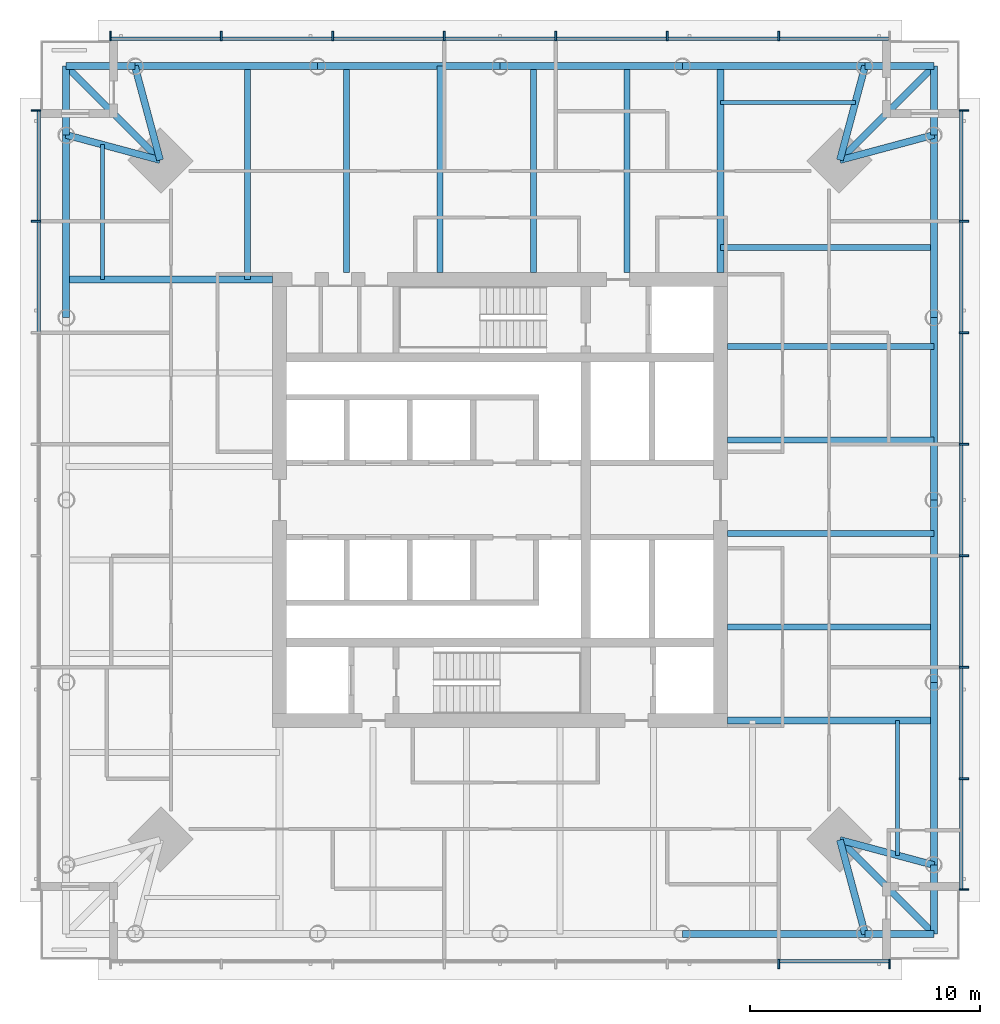
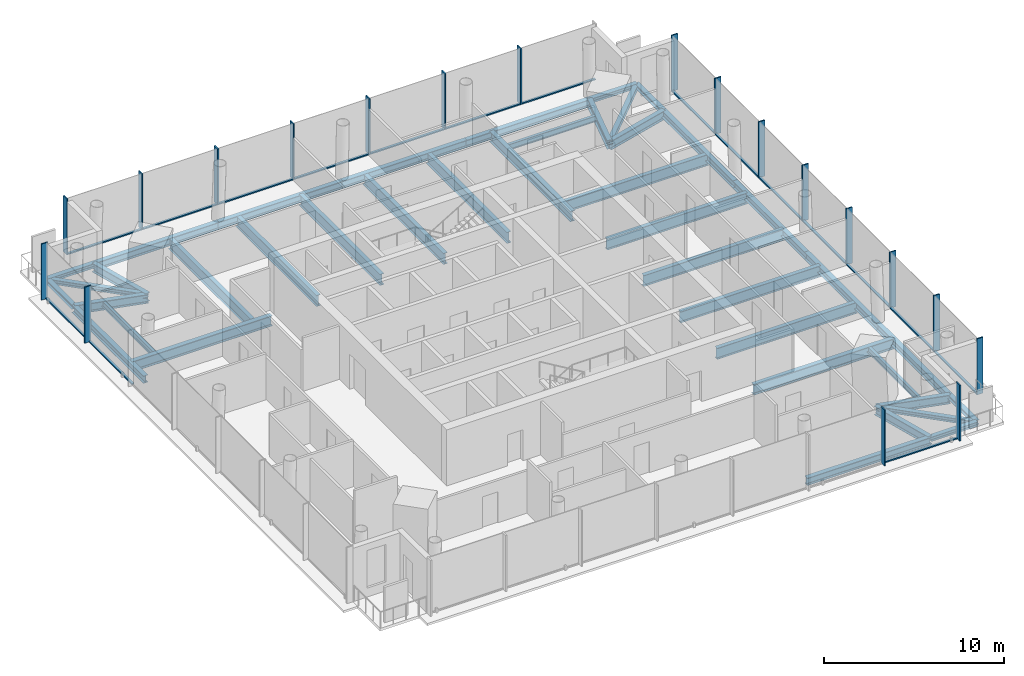
# One storey, part 2 of 10: 41 beams, 36 members, 4 elements without a shape of their own.
"""IFC4 building model written with IfcOpenShell, lengths in metres."""

import ifcopenshell
import ifcopenshell.guid

model = None  # the IFC model being written
_history = None  # IfcOwnerHistory: only IFC2X3 demands one
_inside = {}  # id of a spatial element -> (the spatial element, [elements in it])
_under = {}  # id of a project, library or spatial element -> (it, [spatial elements below it])
_declared = {}  # id of a project -> (the project, [libraries it declares])
_typed = {}  # id of a type object -> (the type object, [elements of that type])
_made_of = {}  # id of a material, layer set ... -> (it, [elements and type objects made of it])


def new_model(schema):
    """Start an empty IFC model of exactly this schema.

    Asked for "IFC4X3", IfcOpenShell would pick the latest addendum, in which some entities
    have other attributes; the version numbers below select the first issue.
    IFC2X3 requires an IfcOwnerHistory on every rooted entity: one is made here for all.
    """
    global model, _history
    if schema == "IFC4X3":
        model = ifcopenshell.file(schema_version=(4, 3, 0, 0))
    else:
        model = ifcopenshell.file(schema=schema)
    _inside.clear()
    _under.clear()
    _declared.clear()
    _typed.clear()
    _made_of.clear()
    _history = None
    if model.schema == "IFC2X3":
        org = make("IfcOrganization", Name="unknown")
        user = make(
            "IfcPersonAndOrganization",
            ThePerson=make("IfcPerson", FamilyName="unknown"),
            TheOrganization=org,
        )
        app = make(
            "IfcApplication",
            ApplicationDeveloper=org,
            Version="unknown",
            ApplicationFullName="unknown",
            ApplicationIdentifier="unknown",
        )
        _history = make(
            "IfcOwnerHistory",
            OwningUser=user,
            OwningApplication=app,
            ChangeAction="ADDED",
            CreationDate=0,
        )
    return model


def make(cls, **values):
    """One entity of the class cls with the attributes given. An attribute that is None is left unset."""
    return model.create_entity(
        cls, **{name: value for name, value in values.items() if value is not None}
    )


def rooted(cls, **values):
    """An entity with a GlobalId (a new one), such as an element, a storey or a relation."""
    return make(cls, GlobalId=ifcopenshell.guid.new(), OwnerHistory=_history, **values)


def si_unit(unit_type, name, prefix=None):
    """IfcSIUnit, for example si_unit("LENGTHUNIT", "METRE", prefix="MILLI")."""
    return make("IfcSIUnit", UnitType=unit_type, Prefix=prefix, Name=name)


def assignment(units):
    """IfcUnitAssignment: the units of a project."""
    return None if units is None else make("IfcUnitAssignment", Units=units)


def point(xyz):
    """IfcCartesianPoint."""
    return None if xyz is None else make("IfcCartesianPoint", Coordinates=xyz)


def direction(xyz):
    """IfcDirection."""
    return None if xyz is None else make("IfcDirection", DirectionRatios=xyz)


def frame(location, z_axis=None, x_axis=None):
    """IfcAxis2Placement3D, a coordinate frame: its origin and axes. An axis left out is left unset."""
    return make(
        "IfcAxis2Placement3D",
        Location=point(location),
        Axis=direction(z_axis),
        RefDirection=direction(x_axis),
    )


def frame_2d(location, x_axis=None):
    """IfcAxis2Placement2D, a coordinate frame in the plane: its origin and x axis."""
    return make(
        "IfcAxis2Placement2D", Location=point(location), RefDirection=direction(x_axis)
    )


def origin():
    """The frame at (0, 0, 0) with its axes left unset."""
    return frame((0.0, 0.0, 0.0))


def origin_2d():
    """The frame at (0, 0) in the plane with its x axis left unset."""
    return frame_2d((0.0, 0.0))


def place(relative_to, where):
    """IfcLocalPlacement: puts the frame where relative to a parent placement (None: the world)."""
    return make(
        "IfcLocalPlacement", PlacementRelTo=relative_to, RelativePlacement=where
    )


def context(
    kind, dimensions, precision=None, world=None, true_north=None, identifier=None
):
    """IfcGeometricRepresentationContext, for example the 3D "Model" context."""
    return make(
        "IfcGeometricRepresentationContext",
        ContextIdentifier=identifier,
        ContextType=kind,
        CoordinateSpaceDimension=dimensions,
        Precision=precision,
        WorldCoordinateSystem=world,
        TrueNorth=true_north,
    )


def subcontext(parent, identifier, kind, view, scale=None):
    """IfcGeometricRepresentationSubContext, for example "Body" below "Model"."""
    return make(
        "IfcGeometricRepresentationSubContext",
        ContextIdentifier=identifier,
        ContextType=kind,
        ParentContext=parent,
        TargetScale=scale,
        TargetView=view,
    )


def project(units=None, contexts=None):
    """IfcProject with its units and contexts."""
    return rooted(
        "IfcProject",
        Name="project",
        RepresentationContexts=contexts,
        UnitsInContext=assignment(units),
    )


def spatial(cls, under=None, at=None, **own):
    """A site, building, storey or space (cls), placed at a placement, below another one or the project."""
    s = rooted(cls, ObjectPlacement=at, **own)
    if under is not None:
        _under.setdefault(under.id(), (under, []))[1].append(s)
    return s


def profile(cls, at=None, kind="AREA", **sizes):
    """A parametric profile (cls). Its sizes go by their IFC names, for example OverallWidth=200.0."""
    return make(cls, ProfileType=kind, Position=at, **sizes)


def rectangle(**sizes):
    """IfcRectangleProfileDef."""
    return profile("IfcRectangleProfileDef", **sizes)


def i_section(**sizes):
    """IfcIShapeProfileDef."""
    return profile("IfcIShapeProfileDef", **sizes)


def extrude(swept, where, along, depth):
    """IfcExtrudedAreaSolid: the profile swept, set in the frame where, extruded along a direction by depth."""
    return make(
        "IfcExtrudedAreaSolid",
        SweptArea=swept,
        Position=where,
        ExtrudedDirection=direction(along),
        Depth=depth,
    )


def shape(context_of_items, identifier, shape_type, items):
    """IfcShapeRepresentation: the items that make up one representation, for example the "Body"."""
    return make(
        "IfcShapeRepresentation",
        ContextOfItems=context_of_items,
        RepresentationIdentifier=identifier,
        RepresentationType=shape_type,
        Items=items,
    )


def material(Name=None, Category=None):
    """IfcMaterial."""
    return make("IfcMaterial", Name=Name, Category=Category)


def material_profile(
    of_material, cross_section, Name=None, Category=None, Priority=None
):
    """IfcMaterialProfile: a cross section and its material."""
    return make(
        "IfcMaterialProfile",
        Name=Name,
        Material=of_material,
        Profile=cross_section,
        Priority=Priority,
        Category=Category,
    )


def profile_set(profiles, Name=None, composite=None):
    """IfcMaterialProfileSet."""
    return make(
        "IfcMaterialProfileSet",
        Name=Name,
        MaterialProfiles=profiles,
        CompositeProfile=composite,
    )


def made_of(thing, what):
    """Note that an element or type object is made of a material, layer set ...; save() writes the relation."""
    if what is not None:
        _made_of.setdefault(what.id(), (what, []))[1].append(thing)
    return thing


def type_object(cls, material=None, **own):
    """A type object (cls), such as IfcWallType, which elements share."""
    return made_of(rooted(cls, **own), material)


def element(
    cls,
    number,
    at=None,
    inside=None,
    cuts=None,
    type_object=None,
    material=None,
    context=None,
    identifier="Body",
    shape_type=None,
    held_by="IfcProductDefinitionShape",
    body=None,
    shapes=None,
    **own,
):
    """One element of the class cls, such as IfcWall. Its Tag is "e" and its number.

    at: its placement. inside: the storey or other place that contains it. cuts: it is an
    opening in that element (IfcRelVoidsElement). A single representation is given by context,
    identifier, shape_type and body (its items); several are given by shapes. held_by: the class
    of the entity that holds the representations. save() writes the other relations.
    """
    e = rooted(cls, Tag="e%d" % number, ObjectPlacement=at, **own)
    if body is not None:
        shapes = [shape(context, identifier, shape_type, body)]
    if shapes is not None:
        e.Representation = make(held_by, Representations=shapes)
    if inside is not None:
        _inside.setdefault(inside.id(), (inside, []))[1].append(e)
    if cuts is not None:
        rooted(
            "IfcRelVoidsElement", RelatingBuildingElement=cuts, RelatedOpeningElement=e
        )
    if type_object is not None:
        _typed.setdefault(type_object.id(), (type_object, []))[1].append(e)
    return made_of(e, material)


def aggregate(whole, parts):
    """IfcRelAggregates: a whole, such as a stair, and the parts it consists of."""
    return rooted("IfcRelAggregates", RelatingObject=whole, RelatedObjects=parts)


def save(model, path):
    """Write the relations noted so far, then the file.

    IfcRelAggregates (storeys below a building ...), IfcRelContainedInSpatialStructure (elements
    in a storey), IfcRelDefinesByType, IfcRelAssociatesMaterial and IfcRelDeclares: one each for
    every whole, place, type object, material and project.
    """
    for whole, parts in _under.values():
        aggregate(whole, parts)
    for where, things in _inside.values():
        rooted(
            "IfcRelContainedInSpatialStructure",
            RelatedElements=things,
            RelatingStructure=where,
        )
    for kind, things in _typed.values():
        rooted("IfcRelDefinesByType", RelatedObjects=things, RelatingType=kind)
    for what, things in _made_of.values():
        rooted("IfcRelAssociatesMaterial", RelatedObjects=things, RelatingMaterial=what)
    for by, libraries in _declared.values():
        rooted("IfcRelDeclares", RelatingContext=by, RelatedDefinitions=libraries)
    model.write(path)


model = new_model("IFC4")

# Units and contexts
model_context = context("Model", 3, precision=1e-05, world=origin(), true_north=direction((0.0, 1.0)))
body_context = subcontext(model_context, "Body", "Model", "MODEL_VIEW")
ifc_project = project(units=[si_unit("LENGTHUNIT", "METRE"), si_unit("AREAUNIT", "SQUARE_METRE"), si_unit("VOLUMEUNIT", "CUBIC_METRE"), si_unit("PLANEANGLEUNIT", "RADIAN"), si_unit("MASSUNIT", "GRAM", prefix="KILO")], contexts=[model_context])

# Site, building, storey
site_placement = place(None, origin())
site = spatial("IfcSite", under=ifc_project, at=site_placement, CompositionType="ELEMENT")
building_placement = place(site_placement, origin())
building = spatial("IfcBuilding", under=site, at=building_placement, Name="Ostroluk Exchange", CompositionType="ELEMENT")
storey_placement = place(building_placement, frame((0.0, 0.0, 180.60009765625)))
storey = spatial("IfcBuildingStorey", under=building, at=storey_placement, Name="L46", CompositionType="ELEMENT", Elevation=180.60009765625)

# Beams
ifc_material_1 = material(Name="Steel S355", Category="steel")
ifc_material_profile_1 = material_profile(ifc_material_1, i_section(OverallWidth=0.300048828125, OverallDepth=0.300048828125, WebThickness=0.010986328125, FlangeThickness=0.01904296875, FilletRadius=0.027099609375, at=origin_2d()), Name="HEB 300")
ifc_profile_set_1 = profile_set([ifc_material_profile_1], Name="Steel S355")
beam_type_1 = type_object("IfcBeamType", Name="Balcony beam HEB 300", PredefinedType="BEAM", material=ifc_profile_set_1)
for number, where, z_axis, x_axis, name in (
    (1, (63.89990234375, 61.89990234375, -0.330078125), (0.0, 1.0, 0.0), (-1.0, 0.0, 0.0), "T1 east balcony beam a"),
    (2, (60.89990234375, 64.89990234375, -0.330078125), (1.0, 0.0, 0.0), (0.0, 1.0, 0.0), "T1 east balcony beam b"),
):
    element("IfcBeam", number, at=place(storey_placement, frame(where, z_axis=z_axis, x_axis=x_axis)), inside=storey, type_object=beam_type_1, Name=name, PredefinedType="BEAM", context=body_context, shape_type="SweptSolid", body=[
        extrude(i_section(OverallWidth=0.300048828125, OverallDepth=0.300048828125, WebThickness=0.010986328125, FlangeThickness=0.01904296875, FilletRadius=0.027099609375, at=origin_2d()), origin(), (0.0, 0.0, 1.0), 3.0),
    ])
beam_1_placement = place(storey_placement, frame((59.800048828125, 60.800048828125, -0.330078125), z_axis=(0.707106781187, 0.707106781187, 0.0), x_axis=(-0.707106781187, 0.707106781187, 0.0)))
element("IfcBeam", 3, at=beam_1_placement, inside=storey, type_object=beam_type_1, Name="T1 east balcony beam c", PredefinedType="BEAM", context=body_context, shape_type="SweptSolid", body=[
    extrude(i_section(OverallWidth=0.300048828125, OverallDepth=0.300048828125, WebThickness=0.010986328125, FlangeThickness=0.01904296875, FilletRadius=0.027099609375, at=origin_2d()), origin(), (0.0, 0.0, 1.0), 5.798095703125),
])
for number, where, z_axis, x_axis, name in (
    (4, (29.10009765625, 64.89990234375, -0.330078125), (-1.0, 0.0, 0.0), (0.0, -1.0, 0.0), "T1 north balcony beam a"),
    (5, (26.10009765625, 61.89990234375, -0.330078125), (0.0, 1.0, 0.0), (-1.0, 0.0, 0.0), "T1 north balcony beam b"),
):
    element("IfcBeam", number, at=place(storey_placement, frame(where, z_axis=z_axis, x_axis=x_axis)), inside=storey, type_object=beam_type_1, Name=name, PredefinedType="BEAM", context=body_context, shape_type="SweptSolid", body=[
        extrude(i_section(OverallWidth=0.300048828125, OverallDepth=0.300048828125, WebThickness=0.010986328125, FlangeThickness=0.01904296875, FilletRadius=0.027099609375, at=origin_2d()), origin(), (0.0, 0.0, 1.0), 3.0),
    ])
beam_2_placement = place(storey_placement, frame((30.199951171875, 60.800048828125, -0.330078125), z_axis=(-0.707106781187, 0.707106781187, 0.0), x_axis=(-0.707106781187, -0.707106781187, 0.0)))
element("IfcBeam", 6, at=beam_2_placement, inside=storey, type_object=beam_type_1, Name="T1 north balcony beam c", PredefinedType="BEAM", context=body_context, shape_type="SweptSolid", body=[
    extrude(i_section(OverallWidth=0.300048828125, OverallDepth=0.300048828125, WebThickness=0.010986328125, FlangeThickness=0.01904296875, FilletRadius=0.027099609375, at=origin_2d()), origin(), (0.0, 0.0, 1.0), 5.798095703125),
])
for number, where, z_axis, x_axis, name in (
    (7, (60.89990234375, 27.10009765625, -0.330078125), (1.0, 0.0, 0.0), (0.0, 1.0, 0.0), "T1 south balcony beam a"),
    (8, (63.89990234375, 30.10009765625, -0.330078125), (0.0, -1.0, 0.0), (1.0, 0.0, 0.0), "T1 south balcony beam b"),
):
    element("IfcBeam", number, at=place(storey_placement, frame(where, z_axis=z_axis, x_axis=x_axis)), inside=storey, type_object=beam_type_1, Name=name, PredefinedType="BEAM", context=body_context, shape_type="SweptSolid", body=[
        extrude(i_section(OverallWidth=0.300048828125, OverallDepth=0.300048828125, WebThickness=0.010986328125, FlangeThickness=0.01904296875, FilletRadius=0.027099609375, at=origin_2d()), origin(), (0.0, 0.0, 1.0), 3.0),
    ])
beam_3_placement = place(storey_placement, frame((59.800048828125, 31.199951171875, -0.330078125), z_axis=(0.707106781187, -0.707106781187, 0.0), x_axis=(0.707106781187, 0.707106781187, 0.0)))
element("IfcBeam", 9, at=beam_3_placement, inside=storey, type_object=beam_type_1, Name="T1 south balcony beam c", PredefinedType="BEAM", context=body_context, shape_type="SweptSolid", body=[
    extrude(i_section(OverallWidth=0.300048828125, OverallDepth=0.300048828125, WebThickness=0.010986328125, FlangeThickness=0.01904296875, FilletRadius=0.027099609375, at=origin_2d()), origin(), (0.0, 0.0, 1.0), 5.798095703125),
])
ifc_material_2 = material(Name="Steel S355", Category="steel")
ifc_material_profile_2 = material_profile(ifc_material_2, i_section(OverallWidth=0.300048828125, OverallDepth=0.60009765625, WebThickness=0.015380859375, FlangeThickness=0.030029296875, FilletRadius=0.027099609375, at=origin_2d()), Name="HEB 600")
ifc_profile_set_2 = profile_set([ifc_material_profile_2], Name="Steel S355")
beam_type_2 = type_object("IfcBeamType", Name="Corner edge beam HEB 600", PredefinedType="SPANDREL", material=ifc_profile_set_2)
for number, where, z_axis, x_axis, name in (
    (10, (59.800048828125, 60.800048828125, -0.47998046875), (0.965849156574, 0.259105011038, 0.0), (-0.259105011038, 0.965849156574, 0.0), "T1 east corner edge beam a"),
    (11, (59.800048828125, 60.800048828125, -0.47998046875), (0.259105011038, 0.965849156574, 0.0), (-0.965849156574, 0.259105011038, 0.0), "T1 east corner edge beam b"),
    (12, (30.199951171875, 60.800048828125, -0.47998046875), (-0.259105011038, 0.965849156574, 0.0), (-0.965849156574, -0.259105011038, 0.0), "T1 north corner edge beam a"),
    (13, (30.199951171875, 60.800048828125, -0.47998046875), (-0.965849156574, 0.259105011038, 0.0), (-0.259105011038, -0.965849156574, 0.0), "T1 north corner edge beam b"),
    (14, (59.800048828125, 31.199951171875, -0.47998046875), (0.259105011038, -0.965849156574, 0.0), (0.965849156574, 0.259105011038, 0.0), "T1 south corner edge beam a"),
    (15, (59.800048828125, 31.199951171875, -0.47998046875), (0.965849156574, -0.259105011038, 0.0), (0.259105011038, 0.965849156574, 0.0), "T1 south corner edge beam b"),
):
    element("IfcBeam", number, at=place(storey_placement, frame(where, z_axis=z_axis, x_axis=x_axis)), inside=storey, type_object=beam_type_2, Name=name, PredefinedType="SPANDREL", context=body_context, shape_type="SweptSolid", body=[
        extrude(i_section(OverallWidth=0.300048828125, OverallDepth=0.60009765625, WebThickness=0.015380859375, FlangeThickness=0.030029296875, FilletRadius=0.027099609375, at=origin_2d()), origin(), (0.0, 0.0, 1.0), 4.244873046875),
    ])
ifc_material_3 = material(Name="Steel S355", Category="steel")
ifc_material_profile_3 = material_profile(ifc_material_3, i_section(OverallWidth=0.179931640625, OverallDepth=0.39990234375, WebThickness=0.008544921875, FlangeThickness=0.013427734375, FilletRadius=0.02099609375, at=origin_2d()), Name="IPE 400")
ifc_profile_set_3 = profile_set([ifc_material_profile_3], Name="Steel S355")
beam_type_3 = type_object("IfcBeamType", Name="Floor beam IPE 400", PredefinedType="BEAM", material=ifc_profile_set_3)
for number, where, z_axis, x_axis, name in (
    (16, (54.60009765625, 63.300048828125, -0.380126953125), (1.0, 0.0, 0.0), (0.0, 1.0, 0.0), "T1 east floor beam 6"),
    (17, (27.699951171875, 55.60009765625, -0.380126953125), (0.0, 1.0, 0.0), (-1.0, 0.0, 0.0), "T1 north floor beam 6"),
    (18, (62.300048828125, 36.39990234375, -0.380126953125), (0.0, -1.0, 0.0), (1.0, 0.0, 0.0), "T1 south floor beam 6"),
):
    element("IfcBeam", number, at=place(storey_placement, frame(where, z_axis=z_axis, x_axis=x_axis)), inside=storey, type_object=beam_type_3, Name=name, PredefinedType="BEAM", context=body_context, shape_type="SweptSolid", body=[
        extrude(i_section(OverallWidth=0.179931640625, OverallDepth=0.39990234375, WebThickness=0.008544921875, FlangeThickness=0.013427734375, FilletRadius=0.02099609375, at=origin_2d()), origin(), (0.0, 0.0, 1.0), 5.87060546875),
    ])
ifc_material_4 = material(Name="Steel S355", Category="steel")
ifc_material_profile_4 = material_profile(ifc_material_4, i_section(OverallWidth=0.264892578125, OverallDepth=0.7529296875, WebThickness=0.01318359375, FlangeThickness=0.01708984375, FilletRadius=0.01708984375, at=origin_2d()), Name="IPE 750x147")
ifc_profile_set_4 = profile_set([ifc_material_profile_4], Name="Steel S355")
beam_type_4 = type_object("IfcBeamType", Name="Floor beam IPE 750x147", PredefinedType="BEAM", material=ifc_profile_set_4)
for number, where, z_axis, x_axis, name in (
    (19, (54.89990234375, 40.471435546875, -0.556640625), (1.0, 0.0, 0.0), (0.0, 1.0, 0.0), "T1 east floor beam 1"),
    (20, (54.89990234375, 44.54296875, -0.556640625), (1.0, 0.0, 0.0), (0.0, 1.0, 0.0), "T1 east floor beam 2"),
    (21, (54.89990234375, 48.6142578125, -0.556640625), (1.0, 0.0, 0.0), (0.0, 1.0, 0.0), "T1 east floor beam 3"),
    (22, (54.89990234375, 52.685791015625, -0.556640625), (1.0, 0.0, 0.0), (0.0, 1.0, 0.0), "T1 east floor beam 4"),
):
    element("IfcBeam", number, at=place(storey_placement, frame(where, z_axis=z_axis, x_axis=x_axis)), inside=storey, type_object=beam_type_4, Name=name, PredefinedType="BEAM", context=body_context, shape_type="SweptSolid", body=[
        extrude(i_section(OverallWidth=0.264892578125, OverallDepth=0.7529296875, WebThickness=0.01318359375, FlangeThickness=0.01708984375, FilletRadius=0.01708984375, at=origin_2d()), origin(), (0.0, 0.0, 1.0), 9.0),
    ])
beam_4_placement = place(storey_placement, frame((54.60009765625, 57.0, -0.556640625), z_axis=(1.0, 0.0, 0.0), x_axis=(0.0, 1.0, 0.0)))
element("IfcBeam", 23, at=beam_4_placement, inside=storey, type_object=beam_type_4, Name="T1 east floor beam 5", PredefinedType="BEAM", context=body_context, shape_type="SweptSolid", body=[
    extrude(i_section(OverallWidth=0.264892578125, OverallDepth=0.7529296875, WebThickness=0.01318359375, FlangeThickness=0.01708984375, FilletRadius=0.01708984375, at=origin_2d()), origin(), (0.0, 0.0, 1.0), 9.2998046875),
])
for number, where, z_axis, x_axis, name in (
    (24, (50.528564453125, 55.89990234375, -0.556640625), (0.0, 1.0, 0.0), (-1.0, 0.0, 0.0), "T1 north floor beam 1"),
    (25, (46.45703125, 55.89990234375, -0.556640625), (0.0, 1.0, 0.0), (-1.0, 0.0, 0.0), "T1 north floor beam 2"),
    (26, (42.3857421875, 55.89990234375, -0.556640625), (0.0, 1.0, 0.0), (-1.0, 0.0, 0.0), "T1 north floor beam 3"),
    (27, (38.314208984375, 55.89990234375, -0.556640625), (0.0, 1.0, 0.0), (-1.0, 0.0, 0.0), "T1 north floor beam 4"),
):
    element("IfcBeam", number, at=place(storey_placement, frame(where, z_axis=z_axis, x_axis=x_axis)), inside=storey, type_object=beam_type_4, Name=name, PredefinedType="BEAM", context=body_context, shape_type="SweptSolid", body=[
        extrude(i_section(OverallWidth=0.264892578125, OverallDepth=0.7529296875, WebThickness=0.01318359375, FlangeThickness=0.01708984375, FilletRadius=0.01708984375, at=origin_2d()), origin(), (0.0, 0.0, 1.0), 9.0),
    ])
beam_5_placement = place(storey_placement, frame((34.0, 55.60009765625, -0.556640625), z_axis=(0.0, 1.0, 0.0), x_axis=(-1.0, 0.0, 0.0)))
element("IfcBeam", 28, at=beam_5_placement, inside=storey, type_object=beam_type_4, Name="T1 north floor beam 5", PredefinedType="BEAM", context=body_context, shape_type="SweptSolid", body=[
    extrude(i_section(OverallWidth=0.264892578125, OverallDepth=0.7529296875, WebThickness=0.01318359375, FlangeThickness=0.01708984375, FilletRadius=0.01708984375, at=origin_2d()), origin(), (0.0, 0.0, 1.0), 9.2998046875),
])
ifc_material_5 = material(Name="Steel S355", Category="steel")
ifc_material_profile_5 = material_profile(ifc_material_5, i_section(OverallWidth=0.300048828125, OverallDepth=0.699951171875, WebThickness=0.01708984375, FlangeThickness=0.031982421875, FilletRadius=0.027099609375, at=origin_2d()), Name="HEB 700")
ifc_profile_set_5 = profile_set([ifc_material_profile_5], Name="Steel S355")
beam_type_5 = type_object("IfcBeamType", Name="Girder HEB 700", PredefinedType="BEAM", material=ifc_profile_set_5)
for number, where, z_axis, x_axis, name in (
    (29, (54.60009765625, 55.89990234375, -0.530029296875), (0.0, 1.0, 0.0), (-1.0, 0.0, 0.0), "T1 east girder"),
    (30, (35.10009765625, 55.60009765625, -0.530029296875), (-1.0, 0.0, 0.0), (0.0, -1.0, 0.0), "T1 north girder"),
    (31, (54.89990234375, 36.39990234375, -0.530029296875), (1.0, 0.0, 0.0), (0.0, 1.0, 0.0), "T1 south girder"),
):
    element("IfcBeam", number, at=place(storey_placement, frame(where, z_axis=z_axis, x_axis=x_axis)), inside=storey, type_object=beam_type_5, Name=name, PredefinedType="BEAM", context=body_context, shape_type="SweptSolid", body=[
        extrude(i_section(OverallWidth=0.300048828125, OverallDepth=0.699951171875, WebThickness=0.01708984375, FlangeThickness=0.031982421875, FilletRadius=0.027099609375, at=origin_2d()), origin(), (0.0, 0.0, 1.0), 9.0),
    ])
ifc_material_6 = material(Name="Steel S355", Category="steel")
ifc_material_profile_6 = material_profile(ifc_material_6, i_section(OverallWidth=0.300048828125, OverallDepth=0.5, WebThickness=0.014404296875, FlangeThickness=0.028076171875, FilletRadius=0.027099609375, at=origin_2d()), Name="HEB 500")
ifc_profile_set_6 = profile_set([ifc_material_profile_6], Name="Steel S355")
beam_type_6 = type_object("IfcBeamType", Name="Moment-connected edge beam HEB 500", PredefinedType="SPANDREL", material=ifc_profile_set_6)
for number, where, z_axis, x_axis, name in (
    (32, (63.89990234375, 30.10009765625, -0.43017578125), (0.0, 1.0, 0.0), (-1.0, 0.0, 0.0), "T1 east edge beam 1"),
    (33, (63.89990234375, 38.050048828125, -0.43017578125), (0.0, 1.0, 0.0), (-1.0, 0.0, 0.0), "T1 east edge beam 2"),
    (34, (63.89990234375, 46.0, -0.43017578125), (0.0, 1.0, 0.0), (-1.0, 0.0, 0.0), "T1 east edge beam 3"),
    (35, (63.89990234375, 53.949951171875, -0.43017578125), (0.0, 1.0, 0.0), (-1.0, 0.0, 0.0), "T1 east edge beam 4"),
    (36, (60.89990234375, 64.89990234375, -0.43017578125), (-1.0, 0.0, 0.0), (0.0, -1.0, 0.0), "T1 north edge beam 1"),
    (37, (52.949951171875, 64.89990234375, -0.43017578125), (-1.0, 0.0, 0.0), (0.0, -1.0, 0.0), "T1 north edge beam 2"),
    (38, (45.0, 64.89990234375, -0.43017578125), (-1.0, 0.0, 0.0), (0.0, -1.0, 0.0), "T1 north edge beam 3"),
    (39, (37.050048828125, 64.89990234375, -0.43017578125), (-1.0, 0.0, 0.0), (0.0, -1.0, 0.0), "T1 north edge beam 4"),
    (40, (26.10009765625, 61.89990234375, -0.43017578125), (0.0, -1.0, 0.0), (1.0, 0.0, 0.0), "T1 west edge beam 1"),
    (41, (52.949951171875, 27.10009765625, -0.43017578125), (1.0, 0.0, 0.0), (0.0, 1.0, 0.0), "T1 south edge beam 4"),
):
    element("IfcBeam", number, at=place(storey_placement, frame(where, z_axis=z_axis, x_axis=x_axis)), inside=storey, type_object=beam_type_6, Name=name, PredefinedType="SPANDREL", context=body_context, shape_type="SweptSolid", body=[
        extrude(i_section(OverallWidth=0.300048828125, OverallDepth=0.5, WebThickness=0.014404296875, FlangeThickness=0.028076171875, FilletRadius=0.027099609375, at=origin_2d()), origin(), (0.0, 0.0, 1.0), 7.949951171875),
    ])

# Curtain wall, member
ifc_material_7 = material(Name="Laminated clear glass", Category="glass")
curtain_wall_type = type_object("IfcCurtainWallType", Name="Office tower facade", PredefinedType="USERDEFINED", material=ifc_material_7)
curtain_wall_1_placement = place(storey_placement, origin())
curtain_wall_1 = element("IfcCurtainWall", 42, at=curtain_wall_1_placement, inside=storey, type_object=curtain_wall_type, Name="Office tower south facade L46", ObjectType="UNITISED CURTAIN WALL", PredefinedType="USERDEFINED")
ifc_material_8 = material(Name="Aluminium mullion", Category="aluminium")
ifc_material_profile_7 = material_profile(ifc_material_8, rectangle(XDim=0.14990234375, YDim=0.080078125, at=origin_2d()), Name="Sill transom 80 x 150")
ifc_profile_set_7 = profile_set([ifc_material_profile_7], Name="Aluminium mullion")
member_type_1 = type_object("IfcMemberType", Name="Sill transom 80 x 150", PredefinedType="USERDEFINED", material=ifc_profile_set_7)
member_1_placement = place(storey_placement, frame((57.182861328125, 25.925048828125, 0.039794921875), z_axis=(1.0, 0.0, 0.0), x_axis=(0.0, 1.0, 0.0)))
member_1 = element("IfcMember", 43, at=member_1_placement, type_object=member_type_1, Name="CW-O1 transom 7.1", ObjectType="TRANSOM", PredefinedType="USERDEFINED", context=body_context, shape_type="SweptSolid", body=[
    extrude(rectangle(XDim=0.14990234375, YDim=0.080078125, at=origin_2d()), origin(), (0.0, 0.0, 1.0), 4.737060546875),
])

# Curtain wall, members
curtain_wall_2_placement = place(storey_placement, origin())
curtain_wall_2 = element("IfcCurtainWall", 44, at=curtain_wall_2_placement, inside=storey, type_object=curtain_wall_type, Name="Office tower east facade L46", ObjectType="UNITISED CURTAIN WALL", PredefinedType="USERDEFINED")
member_2_placement = place(storey_placement, frame((65.074951171875, 29.080078125, 0.039794921875), z_axis=(0.0, 1.0, 0.0), x_axis=(-1.0, 0.0, 0.0)))
member_2 = element("IfcMember", 45, at=member_2_placement, type_object=member_type_1, Name="CW-O1 transom 1.1", ObjectType="TRANSOM", PredefinedType="USERDEFINED", context=body_context, shape_type="SweptSolid", body=[
    extrude(rectangle(XDim=0.14990234375, YDim=0.080078125, at=origin_2d()), origin(), (0.0, 0.0, 1.0), 4.737060546875),
])
member_3_placement = place(storey_placement, frame((65.074951171875, 33.897216796875, 0.039794921875), z_axis=(0.0, 1.0, 0.0), x_axis=(-1.0, 0.0, 0.0)))
member_3 = element("IfcMember", 46, at=member_3_placement, type_object=member_type_1, Name="CW-O1 transom 2.1", ObjectType="TRANSOM", PredefinedType="USERDEFINED", context=body_context, shape_type="SweptSolid", body=[
    extrude(rectangle(XDim=0.14990234375, YDim=0.080078125, at=origin_2d()), origin(), (0.0, 0.0, 1.0), 4.777099609375),
])
member_4_placement = place(storey_placement, frame((65.074951171875, 38.75439453125, 0.039794921875), z_axis=(0.0, 1.0, 0.0), x_axis=(-1.0, 0.0, 0.0)))
member_4 = element("IfcMember", 47, at=member_4_placement, type_object=member_type_1, Name="CW-O1 transom 3.1", ObjectType="TRANSOM", PredefinedType="USERDEFINED", context=body_context, shape_type="SweptSolid", body=[
    extrude(rectangle(XDim=0.14990234375, YDim=0.080078125, at=origin_2d()), origin(), (0.0, 0.0, 1.0), 4.777099609375),
])
member_5_placement = place(storey_placement, frame((65.074951171875, 43.611328125, 0.039794921875), z_axis=(0.0, 1.0, 0.0), x_axis=(-1.0, 0.0, 0.0)))
member_5 = element("IfcMember", 48, at=member_5_placement, type_object=member_type_1, Name="CW-O1 transom 4.1", ObjectType="TRANSOM", PredefinedType="USERDEFINED", context=body_context, shape_type="SweptSolid", body=[
    extrude(rectangle(XDim=0.14990234375, YDim=0.080078125, at=origin_2d()), origin(), (0.0, 0.0, 1.0), 4.77734375),
])
member_6_placement = place(storey_placement, frame((65.074951171875, 48.468505859375, 0.039794921875), z_axis=(0.0, 1.0, 0.0), x_axis=(-1.0, 0.0, 0.0)))
member_6 = element("IfcMember", 49, at=member_6_placement, type_object=member_type_1, Name="CW-O1 transom 5.1", ObjectType="TRANSOM", PredefinedType="USERDEFINED", context=body_context, shape_type="SweptSolid", body=[
    extrude(rectangle(XDim=0.14990234375, YDim=0.080078125, at=origin_2d()), origin(), (0.0, 0.0, 1.0), 4.777099609375),
])
member_7_placement = place(storey_placement, frame((65.074951171875, 53.32568359375, 0.039794921875), z_axis=(0.0, 1.0, 0.0), x_axis=(-1.0, 0.0, 0.0)))
member_7 = element("IfcMember", 50, at=member_7_placement, type_object=member_type_1, Name="CW-O1 transom 6.1", ObjectType="TRANSOM", PredefinedType="USERDEFINED", context=body_context, shape_type="SweptSolid", body=[
    extrude(rectangle(XDim=0.14990234375, YDim=0.080078125, at=origin_2d()), origin(), (0.0, 0.0, 1.0), 4.777099609375),
])
member_8_placement = place(storey_placement, frame((65.074951171875, 58.182861328125, 0.039794921875), z_axis=(0.0, 1.0, 0.0), x_axis=(-1.0, 0.0, 0.0)))
member_8 = element("IfcMember", 51, at=member_8_placement, type_object=member_type_1, Name="CW-O1 transom 7.1", ObjectType="TRANSOM", PredefinedType="USERDEFINED", context=body_context, shape_type="SweptSolid", body=[
    extrude(rectangle(XDim=0.14990234375, YDim=0.080078125, at=origin_2d()), origin(), (0.0, 0.0, 1.0), 4.737060546875),
])

curtain_wall_3_placement = place(storey_placement, origin())
curtain_wall_3 = element("IfcCurtainWall", 52, at=curtain_wall_3_placement, inside=storey, type_object=curtain_wall_type, Name="Office tower north facade L46", ObjectType="UNITISED CURTAIN WALL", PredefinedType="USERDEFINED")
member_9_placement = place(storey_placement, frame((61.919921875, 66.074951171875, 0.039794921875), z_axis=(-1.0, 0.0, 0.0), x_axis=(0.0, -1.0, 0.0)))
member_9 = element("IfcMember", 53, at=member_9_placement, type_object=member_type_1, Name="CW-O1 transom 1.1", ObjectType="TRANSOM", PredefinedType="USERDEFINED", context=body_context, shape_type="SweptSolid", body=[
    extrude(rectangle(XDim=0.14990234375, YDim=0.080078125, at=origin_2d()), origin(), (0.0, 0.0, 1.0), 4.737060546875),
])
member_10_placement = place(storey_placement, frame((57.102783203125, 66.074951171875, 0.039794921875), z_axis=(-1.0, 0.0, 0.0), x_axis=(0.0, -1.0, 0.0)))
member_10 = element("IfcMember", 54, at=member_10_placement, type_object=member_type_1, Name="CW-O1 transom 2.1", ObjectType="TRANSOM", PredefinedType="USERDEFINED", context=body_context, shape_type="SweptSolid", body=[
    extrude(rectangle(XDim=0.14990234375, YDim=0.080078125, at=origin_2d()), origin(), (0.0, 0.0, 1.0), 4.777099609375),
])
member_11_placement = place(storey_placement, frame((52.24560546875, 66.074951171875, 0.039794921875), z_axis=(-1.0, 0.0, 0.0), x_axis=(0.0, -1.0, 0.0)))
member_11 = element("IfcMember", 55, at=member_11_placement, type_object=member_type_1, Name="CW-O1 transom 3.1", ObjectType="TRANSOM", PredefinedType="USERDEFINED", context=body_context, shape_type="SweptSolid", body=[
    extrude(rectangle(XDim=0.14990234375, YDim=0.080078125, at=origin_2d()), origin(), (0.0, 0.0, 1.0), 4.777099609375),
])
member_12_placement = place(storey_placement, frame((47.388671875, 66.074951171875, 0.039794921875), z_axis=(-1.0, 0.0, 0.0), x_axis=(0.0, -1.0, 0.0)))
member_12 = element("IfcMember", 56, at=member_12_placement, type_object=member_type_1, Name="CW-O1 transom 4.1", ObjectType="TRANSOM", PredefinedType="USERDEFINED", context=body_context, shape_type="SweptSolid", body=[
    extrude(rectangle(XDim=0.14990234375, YDim=0.080078125, at=origin_2d()), origin(), (0.0, 0.0, 1.0), 4.77734375),
])
member_13_placement = place(storey_placement, frame((42.531494140625, 66.074951171875, 0.039794921875), z_axis=(-1.0, 0.0, 0.0), x_axis=(0.0, -1.0, 0.0)))
member_13 = element("IfcMember", 57, at=member_13_placement, type_object=member_type_1, Name="CW-O1 transom 5.1", ObjectType="TRANSOM", PredefinedType="USERDEFINED", context=body_context, shape_type="SweptSolid", body=[
    extrude(rectangle(XDim=0.14990234375, YDim=0.080078125, at=origin_2d()), origin(), (0.0, 0.0, 1.0), 4.777099609375),
])
member_14_placement = place(storey_placement, frame((37.67431640625, 66.074951171875, 0.039794921875), z_axis=(-1.0, 0.0, 0.0), x_axis=(0.0, -1.0, 0.0)))
member_14 = element("IfcMember", 58, at=member_14_placement, type_object=member_type_1, Name="CW-O1 transom 6.1", ObjectType="TRANSOM", PredefinedType="USERDEFINED", context=body_context, shape_type="SweptSolid", body=[
    extrude(rectangle(XDim=0.14990234375, YDim=0.080078125, at=origin_2d()), origin(), (0.0, 0.0, 1.0), 4.777099609375),
])
member_15_placement = place(storey_placement, frame((32.817138671875, 66.074951171875, 0.039794921875), z_axis=(-1.0, 0.0, 0.0), x_axis=(0.0, -1.0, 0.0)))
member_15 = element("IfcMember", 59, at=member_15_placement, type_object=member_type_1, Name="CW-O1 transom 7.1", ObjectType="TRANSOM", PredefinedType="USERDEFINED", context=body_context, shape_type="SweptSolid", body=[
    extrude(rectangle(XDim=0.14990234375, YDim=0.080078125, at=origin_2d()), origin(), (0.0, 0.0, 1.0), 4.737060546875),
])

curtain_wall_4_placement = place(storey_placement, origin())
curtain_wall_4 = element("IfcCurtainWall", 60, at=curtain_wall_4_placement, inside=storey, type_object=curtain_wall_type, Name="Office tower west facade L46", ObjectType="UNITISED CURTAIN WALL", PredefinedType="USERDEFINED")
member_16_placement = place(storey_placement, frame((24.925048828125, 62.919921875, 0.039794921875), z_axis=(0.0, -1.0, 0.0), x_axis=(1.0, 0.0, 0.0)))
member_16 = element("IfcMember", 61, at=member_16_placement, type_object=member_type_1, Name="CW-O1 transom 1.1", ObjectType="TRANSOM", PredefinedType="USERDEFINED", context=body_context, shape_type="SweptSolid", body=[
    extrude(rectangle(XDim=0.14990234375, YDim=0.080078125, at=origin_2d()), origin(), (0.0, 0.0, 1.0), 4.737060546875),
])
member_17_placement = place(storey_placement, frame((24.925048828125, 58.102783203125, 0.039794921875), z_axis=(0.0, -1.0, 0.0), x_axis=(1.0, 0.0, 0.0)))
member_17 = element("IfcMember", 62, at=member_17_placement, type_object=member_type_1, Name="CW-O1 transom 2.1", ObjectType="TRANSOM", PredefinedType="USERDEFINED", context=body_context, shape_type="SweptSolid", body=[
    extrude(rectangle(XDim=0.14990234375, YDim=0.080078125, at=origin_2d()), origin(), (0.0, 0.0, 1.0), 4.777099609375),
])

# Member
ifc_material_9 = material(Name="Aluminium mullion with limestone facing", Category="masonry")
ifc_material_profile_8 = material_profile(ifc_material_9, rectangle(XDim=0.39990234375, YDim=0.080078125, at=origin_2d()), Name="Tracery mullion 80 x 400")
ifc_profile_set_8 = profile_set([ifc_material_profile_8], Name="Aluminium mullion with limestone facing")
member_type_2 = type_object("IfcMemberType", Name="Tracery mullion 80 x 400", PredefinedType="MULLION", material=ifc_profile_set_8)
member_18_placement = place(storey_placement, frame((57.142822265625, 25.800048828125, 0.0), z_axis=(0.0, 0.0, 1.0), x_axis=(0.0, 1.0, 0.0)))
member_18 = element("IfcMember", 63, at=member_18_placement, type_object=member_type_2, Name="CW-O1 mullion 7", PredefinedType="MULLION", context=body_context, shape_type="SweptSolid", body=[
    extrude(rectangle(XDim=0.39990234375, YDim=0.080078125, at=origin_2d()), origin(), (0.0, 0.0, 1.0), 3.7998046875),
])

member_19_placement = place(storey_placement, frame((61.9599609375, 25.800048828125, 0.0), z_axis=(0.0, 0.0, 1.0), x_axis=(0.0, 1.0, 0.0)))
member_19 = element("IfcMember", 64, at=member_19_placement, type_object=member_type_2, Name="CW-O1 mullion 8", PredefinedType="MULLION", context=body_context, shape_type="SweptSolid", body=[
    extrude(rectangle(XDim=0.39990234375, YDim=0.080078125, at=origin_2d()), origin(), (0.0, 0.0, 1.0), 3.7998046875),
])

aggregate(curtain_wall_1, [member_18, member_19, member_1])

member_20_placement = place(storey_placement, frame((65.199951171875, 29.0400390625, 0.0), z_axis=(0.0, 0.0, 1.0), x_axis=(-1.0, 0.0, 0.0)))
member_20 = element("IfcMember", 65, at=member_20_placement, type_object=member_type_2, Name="CW-O1 mullion 1", PredefinedType="MULLION", context=body_context, shape_type="SweptSolid", body=[
    extrude(rectangle(XDim=0.39990234375, YDim=0.080078125, at=origin_2d()), origin(), (0.0, 0.0, 1.0), 3.7998046875),
])

member_21_placement = place(storey_placement, frame((65.199951171875, 33.857177734375, 0.0), z_axis=(0.0, 0.0, 1.0), x_axis=(-1.0, 0.0, 0.0)))
member_21 = element("IfcMember", 66, at=member_21_placement, type_object=member_type_2, Name="CW-O1 mullion 2", PredefinedType="MULLION", context=body_context, shape_type="SweptSolid", body=[
    extrude(rectangle(XDim=0.39990234375, YDim=0.080078125, at=origin_2d()), origin(), (0.0, 0.0, 1.0), 3.7998046875),
])

member_22_placement = place(storey_placement, frame((65.199951171875, 38.71435546875, 0.0), z_axis=(0.0, 0.0, 1.0), x_axis=(-1.0, 0.0, 0.0)))
member_22 = element("IfcMember", 67, at=member_22_placement, type_object=member_type_2, Name="CW-O1 mullion 3", PredefinedType="MULLION", context=body_context, shape_type="SweptSolid", body=[
    extrude(rectangle(XDim=0.39990234375, YDim=0.080078125, at=origin_2d()), origin(), (0.0, 0.0, 1.0), 3.7998046875),
])

member_23_placement = place(storey_placement, frame((65.199951171875, 43.571533203125, 0.0), z_axis=(0.0, 0.0, 1.0), x_axis=(-1.0, 0.0, 0.0)))
member_23 = element("IfcMember", 68, at=member_23_placement, type_object=member_type_2, Name="CW-O1 mullion 4", PredefinedType="MULLION", context=body_context, shape_type="SweptSolid", body=[
    extrude(rectangle(XDim=0.39990234375, YDim=0.080078125, at=origin_2d()), origin(), (0.0, 0.0, 1.0), 3.7998046875),
])

member_24_placement = place(storey_placement, frame((65.199951171875, 48.428466796875, 0.0), z_axis=(0.0, 0.0, 1.0), x_axis=(-1.0, 0.0, 0.0)))
member_24 = element("IfcMember", 69, at=member_24_placement, type_object=member_type_2, Name="CW-O1 mullion 5", PredefinedType="MULLION", context=body_context, shape_type="SweptSolid", body=[
    extrude(rectangle(XDim=0.39990234375, YDim=0.080078125, at=origin_2d()), origin(), (0.0, 0.0, 1.0), 3.7998046875),
])

member_25_placement = place(storey_placement, frame((65.199951171875, 53.28564453125, 0.0), z_axis=(0.0, 0.0, 1.0), x_axis=(-1.0, 0.0, 0.0)))
member_25 = element("IfcMember", 70, at=member_25_placement, type_object=member_type_2, Name="CW-O1 mullion 6", PredefinedType="MULLION", context=body_context, shape_type="SweptSolid", body=[
    extrude(rectangle(XDim=0.39990234375, YDim=0.080078125, at=origin_2d()), origin(), (0.0, 0.0, 1.0), 3.7998046875),
])

member_26_placement = place(storey_placement, frame((65.199951171875, 58.142822265625, 0.0), z_axis=(0.0, 0.0, 1.0), x_axis=(-1.0, 0.0, 0.0)))
member_26 = element("IfcMember", 71, at=member_26_placement, type_object=member_type_2, Name="CW-O1 mullion 7", PredefinedType="MULLION", context=body_context, shape_type="SweptSolid", body=[
    extrude(rectangle(XDim=0.39990234375, YDim=0.080078125, at=origin_2d()), origin(), (0.0, 0.0, 1.0), 3.7998046875),
])

member_27_placement = place(storey_placement, frame((65.199951171875, 62.9599609375, 0.0), z_axis=(0.0, 0.0, 1.0), x_axis=(-1.0, 0.0, 0.0)))
member_27 = element("IfcMember", 72, at=member_27_placement, type_object=member_type_2, Name="CW-O1 mullion 8", PredefinedType="MULLION", context=body_context, shape_type="SweptSolid", body=[
    extrude(rectangle(XDim=0.39990234375, YDim=0.080078125, at=origin_2d()), origin(), (0.0, 0.0, 1.0), 3.7998046875),
])

aggregate(curtain_wall_2, [member_20, member_21, member_22, member_23, member_24, member_25, member_26, member_27, member_2, member_3, member_4, member_5, member_6, member_7, member_8])

member_28_placement = place(storey_placement, frame((57.142822265625, 66.199951171875, 0.0), z_axis=(0.0, 0.0, 1.0), x_axis=(0.0, -1.0, 0.0)))
member_28 = element("IfcMember", 73, at=member_28_placement, type_object=member_type_2, Name="CW-O1 mullion 2", PredefinedType="MULLION", context=body_context, shape_type="SweptSolid", body=[
    extrude(rectangle(XDim=0.39990234375, YDim=0.080078125, at=origin_2d()), origin(), (0.0, 0.0, 1.0), 3.7998046875),
])

member_29_placement = place(storey_placement, frame((52.28564453125, 66.199951171875, 0.0), z_axis=(0.0, 0.0, 1.0), x_axis=(0.0, -1.0, 0.0)))
member_29 = element("IfcMember", 74, at=member_29_placement, type_object=member_type_2, Name="CW-O1 mullion 3", PredefinedType="MULLION", context=body_context, shape_type="SweptSolid", body=[
    extrude(rectangle(XDim=0.39990234375, YDim=0.080078125, at=origin_2d()), origin(), (0.0, 0.0, 1.0), 3.7998046875),
])

member_30_placement = place(storey_placement, frame((47.428466796875, 66.199951171875, 0.0), z_axis=(0.0, 0.0, 1.0), x_axis=(0.0, -1.0, 0.0)))
member_30 = element("IfcMember", 75, at=member_30_placement, type_object=member_type_2, Name="CW-O1 mullion 4", PredefinedType="MULLION", context=body_context, shape_type="SweptSolid", body=[
    extrude(rectangle(XDim=0.39990234375, YDim=0.080078125, at=origin_2d()), origin(), (0.0, 0.0, 1.0), 3.7998046875),
])

member_31_placement = place(storey_placement, frame((42.571533203125, 66.199951171875, 0.0), z_axis=(0.0, 0.0, 1.0), x_axis=(0.0, -1.0, 0.0)))
member_31 = element("IfcMember", 76, at=member_31_placement, type_object=member_type_2, Name="CW-O1 mullion 5", PredefinedType="MULLION", context=body_context, shape_type="SweptSolid", body=[
    extrude(rectangle(XDim=0.39990234375, YDim=0.080078125, at=origin_2d()), origin(), (0.0, 0.0, 1.0), 3.7998046875),
])

member_32_placement = place(storey_placement, frame((37.71435546875, 66.199951171875, 0.0), z_axis=(0.0, 0.0, 1.0), x_axis=(0.0, -1.0, 0.0)))
member_32 = element("IfcMember", 77, at=member_32_placement, type_object=member_type_2, Name="CW-O1 mullion 6", PredefinedType="MULLION", context=body_context, shape_type="SweptSolid", body=[
    extrude(rectangle(XDim=0.39990234375, YDim=0.080078125, at=origin_2d()), origin(), (0.0, 0.0, 1.0), 3.7998046875),
])

member_33_placement = place(storey_placement, frame((32.857177734375, 66.199951171875, 0.0), z_axis=(0.0, 0.0, 1.0), x_axis=(0.0, -1.0, 0.0)))
member_33 = element("IfcMember", 78, at=member_33_placement, type_object=member_type_2, Name="CW-O1 mullion 7", PredefinedType="MULLION", context=body_context, shape_type="SweptSolid", body=[
    extrude(rectangle(XDim=0.39990234375, YDim=0.080078125, at=origin_2d()), origin(), (0.0, 0.0, 1.0), 3.7998046875),
])

member_34_placement = place(storey_placement, frame((28.0400390625, 66.199951171875, 0.0), z_axis=(0.0, 0.0, 1.0), x_axis=(0.0, -1.0, 0.0)))
member_34 = element("IfcMember", 79, at=member_34_placement, type_object=member_type_2, Name="CW-O1 mullion 8", PredefinedType="MULLION", context=body_context, shape_type="SweptSolid", body=[
    extrude(rectangle(XDim=0.39990234375, YDim=0.080078125, at=origin_2d()), origin(), (0.0, 0.0, 1.0), 3.7998046875),
])

aggregate(curtain_wall_3, [member_28, member_29, member_30, member_31, member_32, member_33, member_34, member_9, member_10, member_11, member_12, member_13, member_14, member_15])

member_35_placement = place(storey_placement, frame((24.800048828125, 62.9599609375, 0.0), z_axis=(0.0, 0.0, 1.0), x_axis=(1.0, 0.0, 0.0)))
member_35 = element("IfcMember", 80, at=member_35_placement, type_object=member_type_2, Name="CW-O1 mullion 1", PredefinedType="MULLION", context=body_context, shape_type="SweptSolid", body=[
    extrude(rectangle(XDim=0.39990234375, YDim=0.080078125, at=origin_2d()), origin(), (0.0, 0.0, 1.0), 3.7998046875),
])

member_36_placement = place(storey_placement, frame((24.800048828125, 58.142822265625, 0.0), z_axis=(0.0, 0.0, 1.0), x_axis=(1.0, 0.0, 0.0)))
member_36 = element("IfcMember", 81, at=member_36_placement, type_object=member_type_2, Name="CW-O1 mullion 2", PredefinedType="MULLION", context=body_context, shape_type="SweptSolid", body=[
    extrude(rectangle(XDim=0.39990234375, YDim=0.080078125, at=origin_2d()), origin(), (0.0, 0.0, 1.0), 3.7998046875),
])

aggregate(curtain_wall_4, [member_35, member_36, member_16, member_17])

save(model, "model.ifc")
